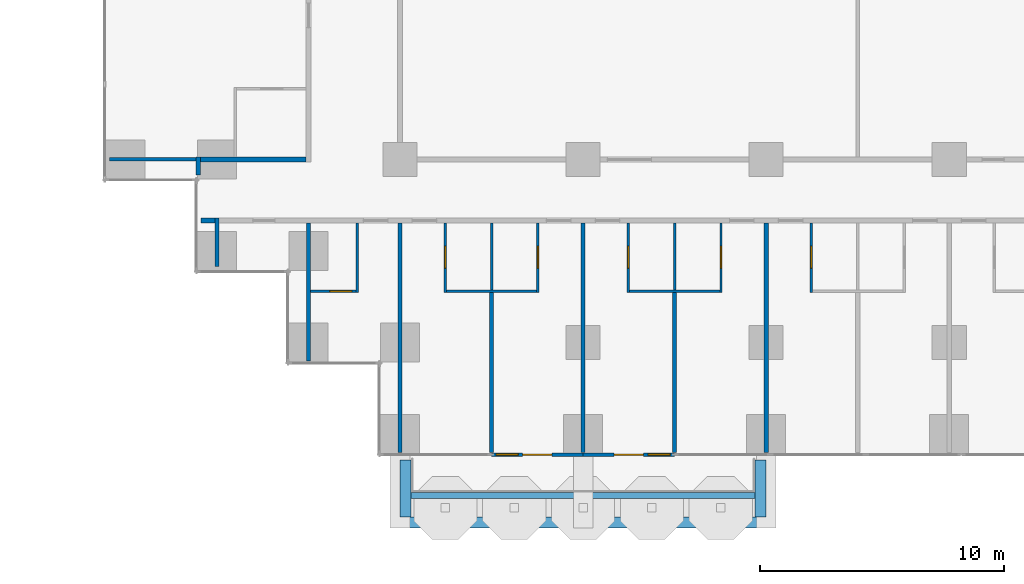
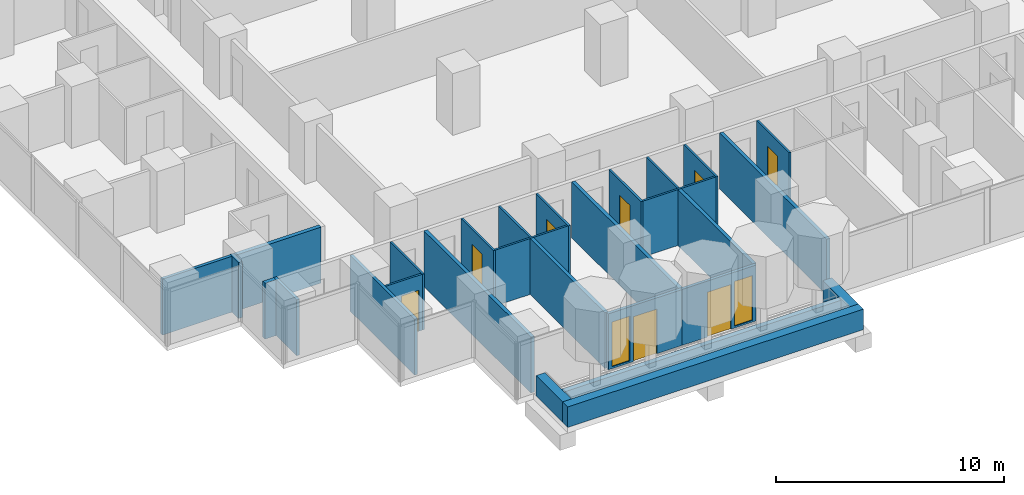
# One storey, part 9 of 17: 28 walls, 8 doors, 2 windows, 10 openings.
"""IFC4 building model written with IfcOpenShell, lengths in metres."""

from ifc_helpers import new_model, si_unit, direction, frame, frame_2d, origin, place, context, subcontext, project, spatial, rectangle, extrude, material, layer, layer_set, type_object, element, fill, save


model = new_model("IFC4")

# Units and contexts
model_context = context("Model", 3, precision=1e-05, world=origin(), true_north=direction((0.0, 1.0)))
body_context = subcontext(model_context, "Body", "Model", "MODEL_VIEW")
ifc_project = project(units=[si_unit("LENGTHUNIT", "METRE"), si_unit("AREAUNIT", "SQUARE_METRE"), si_unit("VOLUMEUNIT", "CUBIC_METRE"), si_unit("PLANEANGLEUNIT", "RADIAN"), si_unit("MASSUNIT", "GRAM", prefix="KILO")], contexts=[model_context])

# Site, building, storey
site_placement = place(None, origin())
site = spatial("IfcSite", under=ifc_project, at=site_placement, CompositionType="ELEMENT")
building_placement = place(site_placement, origin())
building = spatial("IfcBuilding", under=site, at=building_placement, Name="Pilkhan Gate Tower", CompositionType="ELEMENT")
storey_placement = place(building_placement, frame((0.0, 0.0, 49.39990234375)))
storey = spatial("IfcBuildingStorey", under=building, at=storey_placement, Name="L09", CompositionType="ELEMENT", Elevation=49.39990234375)

# Walls
ifc_material_1 = material(Name="Dense blockwork", Category="masonry")
ifc_layer_1 = layer(ifc_material_1, 0.175048828125)
ifc_layer_set_1 = layer_set([ifc_layer_1], Name="Acoustic party wall PW175")
wall_type_1 = type_object("IfcWallType", Name="Acoustic party wall PW175", PredefinedType="PARTITIONING", material=ifc_layer_set_1)
wall_1_placement = place(storey_placement, frame((60.0, 40.485107421875, 0.0), z_axis=(0.0, 0.0, 1.0), x_axis=(0.0, 1.0, 0.0)))
element("IfcWall", 1, at=wall_1_placement, inside=storey, type_object=wall_type_1, Name="Partition L09", PredefinedType="PARTITIONING", context=body_context, shape_type="SweptSolid", body=[
    extrude(rectangle(XDim=9.414794921875, YDim=0.175048828125, at=frame_2d((4.70751953125, 0.0))), origin(), (0.0, 0.0, 1.0), 3.0),
])
wall_2_placement = place(storey_placement, frame((63.75, 40.485107421875, 0.0), z_axis=(0.0, 0.0, 1.0), x_axis=(0.0, 1.0, 0.0)))
element("IfcWall", 2, at=wall_2_placement, inside=storey, type_object=wall_type_1, Name="Partition L09", PredefinedType="PARTITIONING", context=body_context, shape_type="SweptSolid", body=[
    extrude(rectangle(XDim=6.56494140625, YDim=0.175048828125, at=frame_2d((3.282470703125, 0.0))), origin(), (0.0, 0.0, 1.0), 3.0),
])
wall_3_placement = place(storey_placement, frame((67.5, 40.485107421875, 0.0), z_axis=(0.0, 0.0, 1.0), x_axis=(0.0, 1.0, 0.0)))
element("IfcWall", 3, at=wall_3_placement, inside=storey, type_object=wall_type_1, Name="Partition L09", PredefinedType="PARTITIONING", context=body_context, shape_type="SweptSolid", body=[
    extrude(rectangle(XDim=9.414794921875, YDim=0.175048828125, at=frame_2d((4.70751953125, 0.0))), origin(), (0.0, 0.0, 1.0), 3.0),
])
wall_4_placement = place(storey_placement, frame((71.25, 40.485107421875, 0.0), z_axis=(0.0, 0.0, 1.0), x_axis=(0.0, 1.0, 0.0)))
element("IfcWall", 4, at=wall_4_placement, inside=storey, type_object=wall_type_1, Name="Partition L09", PredefinedType="PARTITIONING", context=body_context, shape_type="SweptSolid", body=[
    extrude(rectangle(XDim=6.56494140625, YDim=0.175048828125, at=frame_2d((3.282470703125, 0.0))), origin(), (0.0, 0.0, 1.0), 3.0),
])
wall_5_placement = place(storey_placement, frame((75.0, 40.485107421875, 0.0), z_axis=(0.0, 0.0, 1.0), x_axis=(0.0, 1.0, 0.0)))
element("IfcWall", 5, at=wall_5_placement, inside=storey, type_object=wall_type_1, Name="Partition L09", PredefinedType="PARTITIONING", context=body_context, shape_type="SweptSolid", body=[
    extrude(rectangle(XDim=9.414794921875, YDim=0.175048828125, at=frame_2d((4.70751953125, 0.0))), origin(), (0.0, 0.0, 1.0), 3.0),
])
ifc_material_2 = material(Name="Concrete C40/50", Category="concrete")
ifc_layer_2 = layer(ifc_material_2, 0.25)
ifc_layer_set_2 = layer_set([ifc_layer_2], Name="Balcony planter BP250")
wall_type_2 = type_object("IfcWallType", Name="Balcony planter BP250", PredefinedType="USERDEFINED", material=ifc_layer_set_2)
wall_6_placement = place(storey_placement, frame((60.449951171875, 38.72509765625, 0.0), z_axis=(0.0, 0.0, 1.0), x_axis=(1.0, 0.0, 0.0)))
element("IfcWall", 6, at=wall_6_placement, inside=storey, type_object=wall_type_2, Name="Balcony planter L09 S", ObjectType="BALCONY PLANTER", PredefinedType="USERDEFINED", context=body_context, shape_type="SweptSolid", body=[
    extrude(rectangle(XDim=14.10009765625, YDim=0.25, at=frame_2d((7.050048828125, 0.0))), origin(), (0.0, 0.0, 1.0), 1.0),
])
ifc_material_3 = material(Name="Board-marked Concrete C40/50", Category="concrete")
ifc_layer_3 = layer(ifc_material_3, 0.449951171875)
ifc_layer_set_3 = layer_set([ifc_layer_3], Name="Balcony planter lip BL450")
wall_type_3 = type_object("IfcWallType", Name="Balcony planter lip BL450", PredefinedType="USERDEFINED", material=ifc_layer_set_3)
wall_7_placement = place(storey_placement, frame((60.0, 37.625, 0.0), z_axis=(0.0, 0.0, 1.0), x_axis=(1.0, 0.0, 0.0)))
element("IfcWall", 7, at=wall_7_placement, inside=storey, type_object=wall_type_3, Name="Balcony planter L09 S", ObjectType="BALCONY PLANTER", PredefinedType="USERDEFINED", context=body_context, shape_type="SweptSolid", body=[
    extrude(rectangle(XDim=15.0, YDim=0.449951171875, at=frame_2d((7.5, 0.0))), origin(), (0.0, 0.0, 1.0), 1.10009765625),
])
for number, where, z_axis, x_axis, name in (
    (8, (60.22509765625, 40.179931640625, 0.0), (0.0, 0.0, 1.0), (0.0, -1.0, 0.0), "Balcony planter L09 S"),
    (9, (74.77490234375, 40.179931640625, 0.0), (0.0, 0.0, 1.0), (0.0, -1.0, 0.0), "Balcony planter L09 S"),
):
    element("IfcWall", number, at=place(storey_placement, frame(where, z_axis=z_axis, x_axis=x_axis)), inside=storey, type_object=wall_type_3, Name=name, ObjectType="BALCONY PLANTER", PredefinedType="USERDEFINED", context=body_context, shape_type="SweptSolid", body=[
        extrude(rectangle(XDim=2.329833984375, YDim=0.449951171875, at=frame_2d((1.1650390625, 0.0))), origin(), (0.0, 0.0, 1.0), 1.10009765625),
    ])
ifc_layer_4 = layer(ifc_material_1, 0.199951171875)
ifc_layer_set_4 = layer_set([ifc_layer_4], Name="Corridor wall FW200")
wall_type_4 = type_object("IfcWallType", Name="Corridor wall FW200", PredefinedType="PARTITIONING", material=ifc_layer_set_4)
wall_8_placement = place(storey_placement, frame((51.85498046875, 50.0, 0.0), z_axis=(0.0, 0.0, 1.0), x_axis=(1.0, 0.0, 0.0)))
element("IfcWall", 10, at=wall_8_placement, inside=storey, type_object=wall_type_4, Name="Partition L09", PredefinedType="PARTITIONING", context=body_context, shape_type="SweptSolid", body=[
    extrude(rectangle(XDim=0.570068359375, YDim=0.199951171875, at=frame_2d((0.28515625, 0.0))), origin(), (0.0, 0.0, 1.0), 3.0),
])
wall_9_placement = place(storey_placement, frame((51.8349609375, 52.5, 0.0), z_axis=(0.0, 0.0, 1.0), x_axis=(1.0, 0.0, 0.0)))
element("IfcWall", 11, at=wall_9_placement, inside=storey, type_object=wall_type_4, Name="Partition L09", PredefinedType="PARTITIONING", context=body_context, shape_type="SweptSolid", body=[
    extrude(rectangle(XDim=4.31494140625, YDim=0.199951171875, at=frame_2d((2.157470703125, 0.0))), origin(), (0.0, 0.0, 1.0), 3.0),
])
wall_10_placement = place(storey_placement, frame((51.735107421875, 51.85498046875, 0.0), z_axis=(0.0, 0.0, 1.0), x_axis=(0.0, 1.0, 0.0)))
element("IfcWall", 12, at=wall_10_placement, inside=storey, type_object=wall_type_4, Name="Partition L09", PredefinedType="PARTITIONING", context=body_context, shape_type="SweptSolid", body=[
    extrude(rectangle(XDim=0.7451171875, YDim=0.199951171875, at=frame_2d((0.37255859375, 0.0))), origin(), (0.0, 0.0, 1.0), 3.0),
])

# Wall, openings, door, window
ifc_material_4 = material(Name="Pale anodised aluminium, clear laminated glazing", Category="aluminium")
ifc_layer_5 = layer(ifc_material_4, 0.14990234375)
ifc_layer_set_5 = layer_set([ifc_layer_5], Name="Facade infill wall IW150")
wall_type_5 = type_object("IfcWallType", Name="Facade infill wall IW150", PredefinedType="SOLIDWALL", material=ifc_layer_set_5)
wall_11_placement = place(storey_placement, frame((63.75, 40.405029296875, 0.0), z_axis=(0.0, 0.0, 1.0), x_axis=(1.0, 0.0, 0.0)))
wall_11 = element("IfcWall", 13, at=wall_11_placement, inside=storey, type_object=wall_type_5, Name="Infill wall L09 S", PredefinedType="SOLIDWALL", context=body_context, shape_type="SweptSolid", body=[
    extrude(rectangle(XDim=3.75, YDim=0.14990234375, at=frame_2d((1.875, 0.0))), origin(), (0.0, 0.0, 1.0), 3.0),
])
opening_1_placement = place(wall_11_placement, frame((0.1875, 0.0, 0.10009765625)))
opening_1 = element("IfcOpeningElement", 14, at=opening_1_placement, cuts=wall_11, Name="Opening W1", PredefinedType="OPENING", context=body_context, shape_type="SweptSolid", body=[
    extrude(rectangle(XDim=0.89990234375, YDim=2.39990234375, at=frame_2d((0.449951171875, 1.199951171875))), frame((0.0, 0.0849609375, 0.0), z_axis=(0.0, -1.0, 0.0), x_axis=(1.0, 0.0, 0.0)), (0.0, 0.0, 1.0), 0.169921875),
])
opening_2_placement = place(wall_11_placement, frame((1.27490234375, 0.0, 0.0)))
opening_2 = element("IfcOpeningElement", 15, at=opening_2_placement, cuts=wall_11, Name="Opening D1", PredefinedType="OPENING", context=body_context, shape_type="SweptSolid", body=[
    extrude(rectangle(XDim=1.199951171875, YDim=2.39990234375, at=frame_2d((0.60009765625, 1.199951171875))), frame((0.0, 0.0849609375, 0.0), z_axis=(0.0, -1.0, 0.0), x_axis=(1.0, 0.0, 0.0)), (0.0, 0.0, 1.0), 0.169921875),
])
ifc_material_5 = material(Name="Pale anodised aluminium, clear glazing", Category="aluminium")
door_type_1 = type_object("IfcDoorType", Name="Balcony door D1 1200x2400", OperationType="SINGLE_SWING_LEFT", PredefinedType="DOOR", material=ifc_material_5)
door_1_placement = place(opening_2_placement, origin())
door_1 = element("IfcDoor", 16, at=door_1_placement, inside=storey, type_object=door_type_1, Name="Balcony door L09", OperationType="SINGLE_SWING_LEFT", OverallHeight=2.39990234375, OverallWidth=1.199951171875, PredefinedType="DOOR", context=body_context, shape_type="SweptSolid", body=[
    extrude(rectangle(XDim=1.199951171875, YDim=2.39990234375, at=frame_2d((0.60009765625, 1.199951171875))), frame((0.0, 0.02490234375, 0.0), z_axis=(0.0, -1.0, 0.0), x_axis=(1.0, 0.0, 0.0)), (0.0, 0.0, 1.0), 0.050048828125),
])
fill(opening_2, door_1)
ifc_material_6 = material(Name="Pale anodised aluminium, clear double glazing", Category="aluminium")
window_type = type_object("IfcWindowType", Name="Window W1 900x2400", PartitioningType="SINGLE_PANEL", PredefinedType="WINDOW", material=ifc_material_6)
window_1_placement = place(opening_1_placement, origin())
window_1 = element("IfcWindow", 17, at=window_1_placement, inside=storey, type_object=window_type, Name="Window L09", OverallHeight=2.39990234375, OverallWidth=0.89990234375, PartitioningType="SINGLE_PANEL", PredefinedType="WINDOW", context=body_context, shape_type="SweptSolid", body=[
    extrude(rectangle(XDim=0.89990234375, YDim=2.39990234375, at=frame_2d((0.449951171875, 1.199951171875))), frame((0.0, 0.030029296875, 0.0), z_axis=(0.0, -1.0, 0.0), x_axis=(1.0, 0.0, 0.0)), (0.0, 0.0, 1.0), 0.06005859375),
])
fill(opening_1, window_1)

wall_12_placement = place(storey_placement, frame((67.5, 40.405029296875, 0.0), z_axis=(0.0, 0.0, 1.0), x_axis=(1.0, 0.0, 0.0)))
wall_12 = element("IfcWall", 18, at=wall_12_placement, inside=storey, type_object=wall_type_5, Name="Infill wall L09 S", PredefinedType="SOLIDWALL", context=body_context, shape_type="SweptSolid", body=[
    extrude(rectangle(XDim=3.75, YDim=0.14990234375, at=frame_2d((1.875, 0.0))), origin(), (0.0, 0.0, 1.0), 3.0),
])
opening_3_placement = place(wall_12_placement, frame((1.27490234375, 0.0, 0.0)))
opening_3 = element("IfcOpeningElement", 19, at=opening_3_placement, cuts=wall_12, Name="Opening D1", PredefinedType="OPENING", context=body_context, shape_type="SweptSolid", body=[
    extrude(rectangle(XDim=1.199951171875, YDim=2.39990234375, at=frame_2d((0.60009765625, 1.199951171875))), frame((0.0, 0.0849609375, 0.0), z_axis=(0.0, -1.0, 0.0), x_axis=(1.0, 0.0, 0.0)), (0.0, 0.0, 1.0), 0.169921875),
])
opening_4_placement = place(wall_12_placement, frame((2.66259765625, 0.0, 0.10009765625)))
opening_4 = element("IfcOpeningElement", 20, at=opening_4_placement, cuts=wall_12, Name="Opening W1", PredefinedType="OPENING", context=body_context, shape_type="SweptSolid", body=[
    extrude(rectangle(XDim=0.89990234375, YDim=2.39990234375, at=frame_2d((0.449951171875, 1.199951171875))), frame((0.0, 0.0849609375, 0.0), z_axis=(0.0, -1.0, 0.0), x_axis=(1.0, 0.0, 0.0)), (0.0, 0.0, 1.0), 0.169921875),
])
door_2_placement = place(opening_3_placement, origin())
door_2 = element("IfcDoor", 21, at=door_2_placement, inside=storey, type_object=door_type_1, Name="Balcony door L09", OperationType="SINGLE_SWING_LEFT", OverallHeight=2.39990234375, OverallWidth=1.199951171875, PredefinedType="DOOR", context=body_context, shape_type="SweptSolid", body=[
    extrude(rectangle(XDim=1.199951171875, YDim=2.39990234375, at=frame_2d((0.60009765625, 1.199951171875))), frame((0.0, 0.02490234375, 0.0), z_axis=(0.0, -1.0, 0.0), x_axis=(1.0, 0.0, 0.0)), (0.0, 0.0, 1.0), 0.050048828125),
])
fill(opening_3, door_2)
window_2_placement = place(opening_4_placement, origin())
window_2 = element("IfcWindow", 22, at=window_2_placement, inside=storey, type_object=window_type, Name="Window L09", OverallHeight=2.39990234375, OverallWidth=0.89990234375, PartitioningType="SINGLE_PANEL", PredefinedType="WINDOW", context=body_context, shape_type="SweptSolid", body=[
    extrude(rectangle(XDim=0.89990234375, YDim=2.39990234375, at=frame_2d((0.449951171875, 1.199951171875))), frame((0.0, 0.030029296875, 0.0), z_axis=(0.0, -1.0, 0.0), x_axis=(1.0, 0.0, 0.0)), (0.0, 0.0, 1.0), 0.06005859375),
])
fill(opening_4, window_2)

# Walls
ifc_material_7 = material(Name="Blockwork partition, plastered both sides", Category="masonry")
ifc_layer_6 = layer(ifc_material_7, 0.14990234375)
ifc_layer_set_6 = layer_set([ifc_layer_6], Name="Partition PW150")
wall_type_6 = type_object("IfcWallType", Name="Partition PW150", PredefinedType="PARTITIONING", material=ifc_layer_set_6)
wall_13_placement = place(storey_placement, frame((48.10498046875, 52.5, 0.0), z_axis=(0.0, 0.0, 1.0), x_axis=(1.0, 0.0, 0.0)))
element("IfcWall", 23, at=wall_13_placement, inside=storey, type_object=wall_type_6, Name="Partition L09", PredefinedType="PARTITIONING", context=body_context, shape_type="SweptSolid", body=[
    extrude(rectangle(XDim=3.530029296875, YDim=0.14990234375, at=frame_2d((1.76513671875, 0.0))), origin(), (0.0, 0.0, 1.0), 3.0),
])
wall_14_placement = place(storey_placement, frame((52.5, 48.10498046875, 0.0), z_axis=(0.0, 0.0, 1.0), x_axis=(0.0, 1.0, 0.0)))
element("IfcWall", 24, at=wall_14_placement, inside=storey, type_object=wall_type_6, Name="Partition L09", PredefinedType="PARTITIONING", context=body_context, shape_type="SweptSolid", body=[
    extrude(rectangle(XDim=1.9951171875, YDim=0.14990234375, at=frame_2d((0.99755859375, 0.0))), origin(), (0.0, 0.0, 1.0), 3.0),
])
wall_15_placement = place(storey_placement, frame((56.25, 44.235107421875, 0.0), z_axis=(0.0, 0.0, 1.0), x_axis=(0.0, 1.0, 0.0)))
element("IfcWall", 25, at=wall_15_placement, inside=storey, type_object=wall_type_6, Name="Partition L09", PredefinedType="PARTITIONING", context=body_context, shape_type="SweptSolid", body=[
    extrude(rectangle(XDim=5.664794921875, YDim=0.14990234375, at=frame_2d((2.83251953125, 0.0))), origin(), (0.0, 0.0, 1.0), 3.0),
])

# Wall, opening, door
ifc_material_8 = material(Name="Moisture resistant board, tiled")
ifc_layer_7 = layer(ifc_material_8, 0.10009765625)
ifc_layer_set_7 = layer_set([ifc_layer_7], Name="Wet wall PW100")
wall_type_7 = type_object("IfcWallType", Name="Wet wall PW100", PredefinedType="PARTITIONING", material=ifc_layer_set_7)
wall_16_placement = place(storey_placement, frame((56.324951171875, 47.10009765625, 0.0), z_axis=(0.0, 0.0, 1.0), x_axis=(1.0, 0.0, 0.0)))
wall_16 = element("IfcWall", 26, at=wall_16_placement, inside=storey, type_object=wall_type_7, Name="Partition L09", PredefinedType="PARTITIONING", context=body_context, shape_type="SweptSolid", body=[
    extrude(rectangle(XDim=1.875, YDim=0.10009765625, at=frame_2d((0.9375, 0.0))), origin(), (0.0, 0.0, 1.0), 3.0),
])
opening_5_placement = place(wall_16_placement, frame((0.800048828125, 0.0, 0.0)))
opening_5 = element("IfcOpeningElement", 27, at=opening_5_placement, cuts=wall_16, Name="Opening L09-07", PredefinedType="OPENING", context=body_context, shape_type="SweptSolid", body=[
    extrude(rectangle(XDim=0.89990234375, YDim=2.199951171875, at=frame_2d((0.449951171875, 1.10009765625))), frame((0.0, 0.06005859375, 0.0), z_axis=(0.0, -1.0, 0.0), x_axis=(1.0, 0.0, 0.0)), (0.0, 0.0, 1.0), 0.1201171875),
])
ifc_material_9 = material(Name="Timber flush door", Category="wood")
door_type_2 = type_object("IfcDoorType", Name="Bathroom door D02 900x2200", OperationType="SINGLE_SWING_RIGHT", PredefinedType="DOOR", material=ifc_material_9)
door_3_placement = place(opening_5_placement, origin())
door_3 = element("IfcDoor", 28, at=door_3_placement, inside=storey, type_object=door_type_2, Name="Bathroom door", OperationType="SINGLE_SWING_RIGHT", OverallHeight=2.199951171875, OverallWidth=0.89990234375, PredefinedType="DOOR", context=body_context, shape_type="SweptSolid", body=[
    extrude(rectangle(XDim=0.89990234375, YDim=2.199951171875, at=frame_2d((0.449951171875, 1.10009765625))), frame((0.0, 0.02490234375, 0.0), z_axis=(0.0, -1.0, 0.0), x_axis=(1.0, 0.0, 0.0)), (0.0, 0.0, 1.0), 0.050048828125),
])
fill(opening_5, door_3)

# Walls
for number, where, z_axis, x_axis, name in (
    (29, (61.89990234375, 47.10009765625, 0.0), (0.0, 0.0, 1.0), (1.0, 0.0, 0.0), "Partition L09"),
    (30, (69.39990234375, 47.10009765625, 0.0), (0.0, 0.0, 1.0), (1.0, 0.0, 0.0), "Partition L09"),
):
    element("IfcWall", number, at=place(storey_placement, frame(where, z_axis=z_axis, x_axis=x_axis)), inside=storey, type_object=wall_type_7, Name=name, PredefinedType="PARTITIONING", context=body_context, shape_type="SweptSolid", body=[
        extrude(rectangle(XDim=3.7001953125, YDim=0.10009765625, at=frame_2d((1.85009765625, 0.0))), origin(), (0.0, 0.0, 1.0), 3.0),
    ])
wall_17_placement = place(storey_placement, frame((58.25, 47.050048828125, 0.0), z_axis=(0.0, 0.0, 1.0), x_axis=(0.0, 1.0, 0.0)))
element("IfcWall", 31, at=wall_17_placement, inside=storey, type_object=wall_type_7, Name="Partition L09", PredefinedType="PARTITIONING", context=body_context, shape_type="SweptSolid", body=[
    extrude(rectangle(XDim=2.849853515625, YDim=0.10009765625, at=frame_2d((1.4248046875, 0.0))), origin(), (0.0, 0.0, 1.0), 3.0),
])

# Wall, opening, door
wall_18_placement = place(storey_placement, frame((61.85009765625, 47.050048828125, 0.0), z_axis=(0.0, 0.0, 1.0), x_axis=(0.0, 1.0, 0.0)))
wall_18 = element("IfcWall", 32, at=wall_18_placement, inside=storey, type_object=wall_type_7, Name="Partition L09", PredefinedType="PARTITIONING", context=body_context, shape_type="SweptSolid", body=[
    extrude(rectangle(XDim=2.849853515625, YDim=0.10009765625, at=frame_2d((1.4248046875, 0.0))), origin(), (0.0, 0.0, 1.0), 3.0),
])
opening_6_placement = place(wall_18_placement, frame((1.0, 0.0, 0.0)))
opening_6 = element("IfcOpeningElement", 33, at=opening_6_placement, cuts=wall_18, Name="Opening L09-09", PredefinedType="OPENING", context=body_context, shape_type="SweptSolid", body=[
    extrude(rectangle(XDim=0.89990234375, YDim=2.199951171875, at=frame_2d((0.449951171875, 1.10009765625))), frame((0.0, 0.06005859375, 0.0), z_axis=(0.0, -1.0, 0.0), x_axis=(1.0, 0.0, 0.0)), (0.0, 0.0, 1.0), 0.1201171875),
])
door_4_placement = place(opening_6_placement, origin())
door_4 = element("IfcDoor", 34, at=door_4_placement, inside=storey, type_object=door_type_2, Name="Bathroom door", OperationType="SINGLE_SWING_RIGHT", OverallHeight=2.199951171875, OverallWidth=0.89990234375, PredefinedType="DOOR", context=body_context, shape_type="SweptSolid", body=[
    extrude(rectangle(XDim=0.89990234375, YDim=2.199951171875, at=frame_2d((0.449951171875, 1.10009765625))), frame((0.0, 0.02490234375, 0.0), z_axis=(0.0, -1.0, 0.0), x_axis=(1.0, 0.0, 0.0)), (0.0, 0.0, 1.0), 0.050048828125),
])
fill(opening_6, door_4)

# Wall
wall_19_placement = place(storey_placement, frame((63.75, 47.14990234375, 0.0), z_axis=(0.0, 0.0, 1.0), x_axis=(0.0, 1.0, 0.0)))
element("IfcWall", 35, at=wall_19_placement, inside=storey, type_object=wall_type_7, Name="Partition L09", PredefinedType="PARTITIONING", context=body_context, shape_type="SweptSolid", body=[
    extrude(rectangle(XDim=2.75, YDim=0.10009765625, at=frame_2d((1.375, 0.0))), origin(), (0.0, 0.0, 1.0), 3.0),
])

# Wall, opening, door
wall_20_placement = place(storey_placement, frame((65.64990234375, 47.050048828125, 0.0), z_axis=(0.0, 0.0, 1.0), x_axis=(0.0, 1.0, 0.0)))
wall_20 = element("IfcWall", 36, at=wall_20_placement, inside=storey, type_object=wall_type_7, Name="Partition L09", PredefinedType="PARTITIONING", context=body_context, shape_type="SweptSolid", body=[
    extrude(rectangle(XDim=2.849853515625, YDim=0.10009765625, at=frame_2d((1.4248046875, 0.0))), origin(), (0.0, 0.0, 1.0), 3.0),
])
opening_7_placement = place(wall_20_placement, frame((1.0, 0.0, 0.0)))
opening_7 = element("IfcOpeningElement", 37, at=opening_7_placement, cuts=wall_20, Name="Opening L09-11", PredefinedType="OPENING", context=body_context, shape_type="SweptSolid", body=[
    extrude(rectangle(XDim=0.89990234375, YDim=2.199951171875, at=frame_2d((0.449951171875, 1.10009765625))), frame((0.0, 0.06005859375, 0.0), z_axis=(0.0, -1.0, 0.0), x_axis=(1.0, 0.0, 0.0)), (0.0, 0.0, 1.0), 0.1201171875),
])
door_5_placement = place(opening_7_placement, origin())
door_5 = element("IfcDoor", 38, at=door_5_placement, inside=storey, type_object=door_type_2, Name="Bathroom door", OperationType="SINGLE_SWING_RIGHT", OverallHeight=2.199951171875, OverallWidth=0.89990234375, PredefinedType="DOOR", context=body_context, shape_type="SweptSolid", body=[
    extrude(rectangle(XDim=0.89990234375, YDim=2.199951171875, at=frame_2d((0.449951171875, 1.10009765625))), frame((0.0, 0.02490234375, 0.0), z_axis=(0.0, -1.0, 0.0), x_axis=(1.0, 0.0, 0.0)), (0.0, 0.0, 1.0), 0.050048828125),
])
fill(opening_7, door_5)

wall_21_placement = place(storey_placement, frame((69.35009765625, 47.050048828125, 0.0), z_axis=(0.0, 0.0, 1.0), x_axis=(0.0, 1.0, 0.0)))
wall_21 = element("IfcWall", 39, at=wall_21_placement, inside=storey, type_object=wall_type_7, Name="Partition L09", PredefinedType="PARTITIONING", context=body_context, shape_type="SweptSolid", body=[
    extrude(rectangle(XDim=2.849853515625, YDim=0.10009765625, at=frame_2d((1.4248046875, 0.0))), origin(), (0.0, 0.0, 1.0), 3.0),
])
opening_8_placement = place(wall_21_placement, frame((1.0, 0.0, 0.0)))
opening_8 = element("IfcOpeningElement", 40, at=opening_8_placement, cuts=wall_21, Name="Opening L09-13", PredefinedType="OPENING", context=body_context, shape_type="SweptSolid", body=[
    extrude(rectangle(XDim=0.89990234375, YDim=2.199951171875, at=frame_2d((0.449951171875, 1.10009765625))), frame((0.0, 0.06005859375, 0.0), z_axis=(0.0, -1.0, 0.0), x_axis=(1.0, 0.0, 0.0)), (0.0, 0.0, 1.0), 0.1201171875),
])
door_6_placement = place(opening_8_placement, origin())
door_6 = element("IfcDoor", 41, at=door_6_placement, inside=storey, type_object=door_type_2, Name="Bathroom door", OperationType="SINGLE_SWING_RIGHT", OverallHeight=2.199951171875, OverallWidth=0.89990234375, PredefinedType="DOOR", context=body_context, shape_type="SweptSolid", body=[
    extrude(rectangle(XDim=0.89990234375, YDim=2.199951171875, at=frame_2d((0.449951171875, 1.10009765625))), frame((0.0, 0.02490234375, 0.0), z_axis=(0.0, -1.0, 0.0), x_axis=(1.0, 0.0, 0.0)), (0.0, 0.0, 1.0), 0.050048828125),
])
fill(opening_8, door_6)

# Wall
wall_22_placement = place(storey_placement, frame((71.25, 47.14990234375, 0.0), z_axis=(0.0, 0.0, 1.0), x_axis=(0.0, 1.0, 0.0)))
element("IfcWall", 42, at=wall_22_placement, inside=storey, type_object=wall_type_7, Name="Partition L09", PredefinedType="PARTITIONING", context=body_context, shape_type="SweptSolid", body=[
    extrude(rectangle(XDim=2.75, YDim=0.10009765625, at=frame_2d((1.375, 0.0))), origin(), (0.0, 0.0, 1.0), 3.0),
])

# Wall, opening, door
wall_23_placement = place(storey_placement, frame((73.14990234375, 47.050048828125, 0.0), z_axis=(0.0, 0.0, 1.0), x_axis=(0.0, 1.0, 0.0)))
wall_23 = element("IfcWall", 43, at=wall_23_placement, inside=storey, type_object=wall_type_7, Name="Partition L09", PredefinedType="PARTITIONING", context=body_context, shape_type="SweptSolid", body=[
    extrude(rectangle(XDim=2.849853515625, YDim=0.10009765625, at=frame_2d((1.4248046875, 0.0))), origin(), (0.0, 0.0, 1.0), 3.0),
])
opening_9_placement = place(wall_23_placement, frame((1.0, 0.0, 0.0)))
opening_9 = element("IfcOpeningElement", 44, at=opening_9_placement, cuts=wall_23, Name="Opening L09-15", PredefinedType="OPENING", context=body_context, shape_type="SweptSolid", body=[
    extrude(rectangle(XDim=0.89990234375, YDim=2.199951171875, at=frame_2d((0.449951171875, 1.10009765625))), frame((0.0, 0.06005859375, 0.0), z_axis=(0.0, -1.0, 0.0), x_axis=(1.0, 0.0, 0.0)), (0.0, 0.0, 1.0), 0.1201171875),
])
door_7_placement = place(opening_9_placement, origin())
door_7 = element("IfcDoor", 45, at=door_7_placement, inside=storey, type_object=door_type_2, Name="Bathroom door", OperationType="SINGLE_SWING_RIGHT", OverallHeight=2.199951171875, OverallWidth=0.89990234375, PredefinedType="DOOR", context=body_context, shape_type="SweptSolid", body=[
    extrude(rectangle(XDim=0.89990234375, YDim=2.199951171875, at=frame_2d((0.449951171875, 1.10009765625))), frame((0.0, 0.02490234375, 0.0), z_axis=(0.0, -1.0, 0.0), x_axis=(1.0, 0.0, 0.0)), (0.0, 0.0, 1.0), 0.050048828125),
])
fill(opening_9, door_7)

wall_24_placement = place(storey_placement, frame((76.85009765625, 47.050048828125, 0.0), z_axis=(0.0, 0.0, 1.0), x_axis=(0.0, 1.0, 0.0)))
wall_24 = element("IfcWall", 46, at=wall_24_placement, inside=storey, type_object=wall_type_7, Name="Partition L09", PredefinedType="PARTITIONING", context=body_context, shape_type="SweptSolid", body=[
    extrude(rectangle(XDim=2.849853515625, YDim=0.10009765625, at=frame_2d((1.4248046875, 0.0))), origin(), (0.0, 0.0, 1.0), 3.0),
])
opening_10_placement = place(wall_24_placement, frame((1.0, 0.0, 0.0)))
opening_10 = element("IfcOpeningElement", 47, at=opening_10_placement, cuts=wall_24, Name="Opening L09-17", PredefinedType="OPENING", context=body_context, shape_type="SweptSolid", body=[
    extrude(rectangle(XDim=0.89990234375, YDim=2.199951171875, at=frame_2d((0.449951171875, 1.10009765625))), frame((0.0, 0.06005859375, 0.0), z_axis=(0.0, -1.0, 0.0), x_axis=(1.0, 0.0, 0.0)), (0.0, 0.0, 1.0), 0.1201171875),
])
door_8_placement = place(opening_10_placement, origin())
door_8 = element("IfcDoor", 48, at=door_8_placement, inside=storey, type_object=door_type_2, Name="Bathroom door", OperationType="SINGLE_SWING_RIGHT", OverallHeight=2.199951171875, OverallWidth=0.89990234375, PredefinedType="DOOR", context=body_context, shape_type="SweptSolid", body=[
    extrude(rectangle(XDim=0.89990234375, YDim=2.199951171875, at=frame_2d((0.449951171875, 1.10009765625))), frame((0.0, 0.02490234375, 0.0), z_axis=(0.0, -1.0, 0.0), x_axis=(1.0, 0.0, 0.0)), (0.0, 0.0, 1.0), 0.050048828125),
])
fill(opening_10, door_8)

save(model, "model.ifc")
